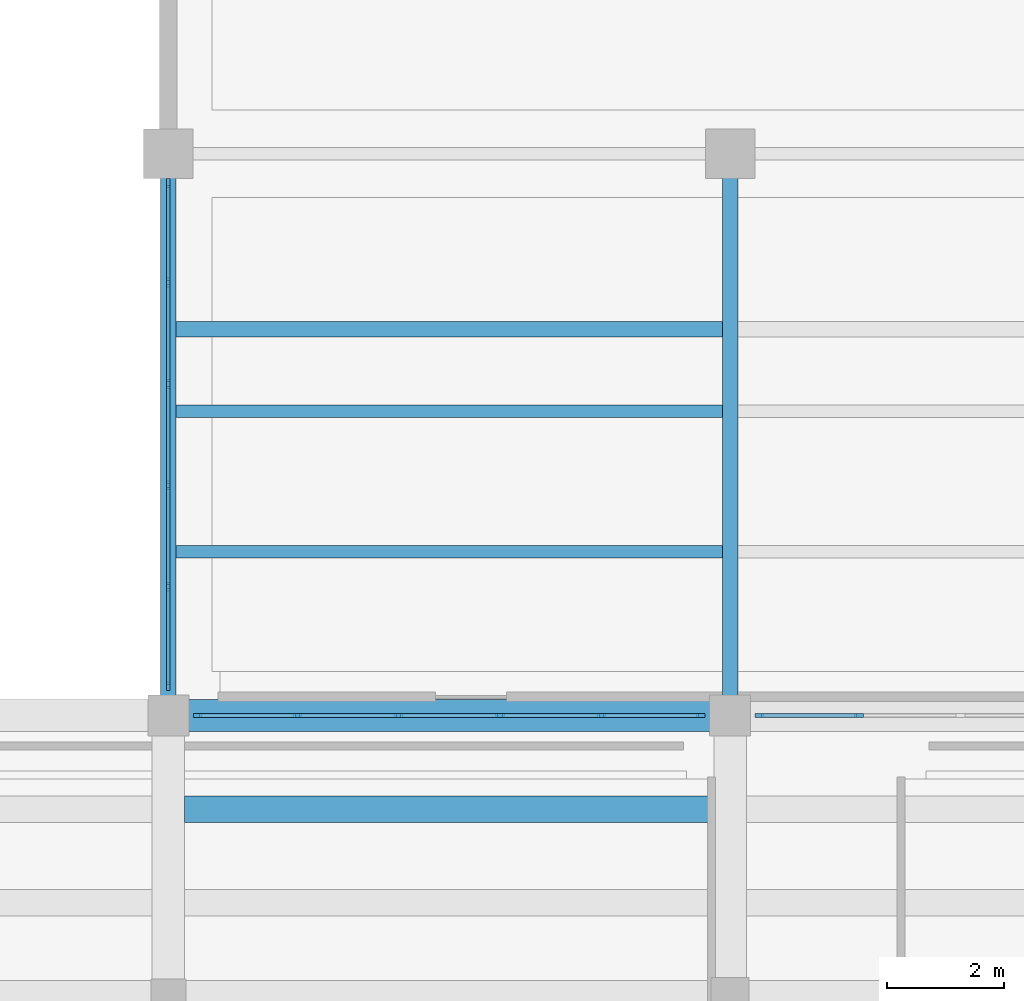
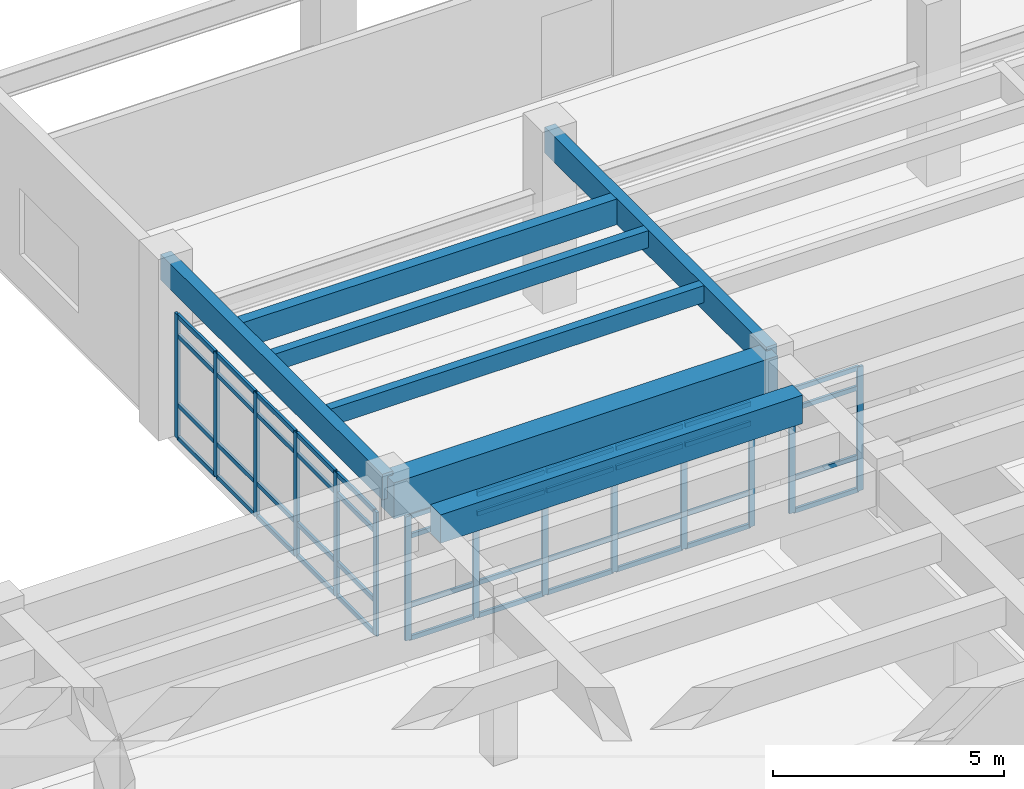
# One storey, part 19 of 86: 58 members, 7 beams, 3 elements without a shape of their own.
"""IFC4 building model written with IfcOpenShell, lengths in metres."""

from ifc_helpers import new_model, si_unit, direction, frame, origin, origin_2d, place, context, subcontext, project, spatial, rectangle, extrude, material, layer, layer_set, material_profile, profile_set, type_object, element, aggregate, save


model = new_model("IFC4")

# Units and contexts
model_context = context("Model", 3, precision=1e-05, world=origin(), true_north=direction((0.0, 1.0)))
body_context = subcontext(model_context, "Body", "Model", "MODEL_VIEW")
ifc_project = project(units=[si_unit("LENGTHUNIT", "METRE"), si_unit("AREAUNIT", "SQUARE_METRE"), si_unit("VOLUMEUNIT", "CUBIC_METRE"), si_unit("PLANEANGLEUNIT", "RADIAN"), si_unit("MASSUNIT", "GRAM", prefix="KILO")], contexts=[model_context])

# Site, building, storey
site_placement = place(None, origin())
site = spatial("IfcSite", under=ifc_project, at=site_placement, CompositionType="ELEMENT")
building_placement = place(site_placement, origin())
building = spatial("IfcBuilding", under=site, at=building_placement, Name="Kolvemor Railside Polytechnic", CompositionType="ELEMENT")
storey_placement = place(building_placement, frame((0.0, 0.0, 5.39990234375)))
storey = spatial("IfcBuildingStorey", under=building, at=storey_placement, Name="L01", CompositionType="ELEMENT", Elevation=5.39990234375)

# Beams
ifc_material_1 = material(Name="Glulam GL28h", Category="wood")
ifc_material_profile_1 = material_profile(ifc_material_1, rectangle(XDim=0.264892578125, YDim=0.679931640625, at=origin_2d()), Name="GL265x680")
ifc_profile_set_1 = profile_set([ifc_material_profile_1], Name="Glulam GL28h")
beam_type_1 = type_object("IfcBeamType", Name="BM-GL-GIRD2", PredefinedType="BEAM", material=ifc_profile_set_1)
beam_1_placement = place(storey_placement, frame((19.3330078125, 88.199951171875, 4.2451171875), z_axis=(1.0, 0.0, 0.0), x_axis=(0.0, 1.0, 0.0)))
element("IfcBeam", 1, at=beam_1_placement, inside=storey, type_object=beam_type_1, Name="Link Roof North Joist 1070", PredefinedType="BEAM", context=body_context, shape_type="SweptSolid", body=[
    extrude(rectangle(XDim=0.264892578125, YDim=0.679931640625, at=origin_2d()), origin(), (0.0, 0.0, 1.0), 9.333984375),
])
for number, where, z_axis, x_axis, name in (
    (2, (19.199951171875, 81.60009765625, 4.2451171875), (0.0, 1.0, 0.0), (-1.0, 0.0, 0.0), "Link Roof Girder GY 1073"),
    (3, (28.800048828125, 81.60009765625, 4.2451171875), (0.0, 1.0, 0.0), (-1.0, 0.0, 0.0), "Link Roof Girder GY 1074"),
):
    element("IfcBeam", number, at=place(storey_placement, frame(where, z_axis=z_axis, x_axis=x_axis)), inside=storey, type_object=beam_type_1, Name=name, PredefinedType="BEAM", context=body_context, shape_type="SweptSolid", body=[
        extrude(rectangle(XDim=0.264892578125, YDim=0.679931640625, at=origin_2d()), origin(), (0.0, 0.0, 1.0), 9.599853515625),
    ])
ifc_material_2 = material(Name="Glulam GL28h", Category="wood")
ifc_material_profile_2 = material_profile(ifc_material_2, rectangle(XDim=0.215087890625, YDim=0.449951171875, at=origin_2d()), Name="GL215x450")
ifc_profile_set_2 = profile_set([ifc_material_profile_2], Name="Glulam GL28h")
beam_type_2 = type_object("IfcBeamType", Name="BM-GL-JST2", PredefinedType="JOIST", material=ifc_profile_set_2)
for number, where, z_axis, x_axis, name in (
    (4, (19.3330078125, 84.39990234375, 4.360107421875), (1.0, 0.0, 0.0), (0.0, 1.0, 0.0), "Link Roof Joist 1077"),
    (5, (19.3330078125, 86.800048828125, 4.360107421875), (1.0, 0.0, 0.0), (0.0, 1.0, 0.0), "Link Roof Joist 1078"),
):
    element("IfcBeam", number, at=place(storey_placement, frame(where, z_axis=z_axis, x_axis=x_axis)), inside=storey, type_object=beam_type_2, Name=name, PredefinedType="JOIST", context=body_context, shape_type="SweptSolid", body=[
        extrude(rectangle(XDim=0.215087890625, YDim=0.449951171875, at=origin_2d()), origin(), (0.0, 0.0, 1.0), 9.333984375),
    ])
ifc_material_3 = material(Name="Concrete C40/50", Category="concrete")
ifc_material_profile_3 = material_profile(ifc_material_3, rectangle(XDim=0.550048828125, YDim=0.949951171875, at=origin_2d()), Name="RC550x950")
ifc_profile_set_3 = profile_set([ifc_material_profile_3], Name="Concrete C40/50")
beam_type_3 = type_object("IfcBeamType", Name="BM-RC-GIRD", PredefinedType="BEAM", material=ifc_profile_set_3)
beam_2_placement = place(storey_placement, frame((19.199951171875, 81.60009765625, 4.005126953125), z_axis=(1.0, 0.0, 0.0), x_axis=(0.0, 1.0, 0.0)))
element("IfcBeam", 6, at=beam_2_placement, inside=storey, type_object=beam_type_3, Name="Primary Girder L02-GX 0605", PredefinedType="BEAM", context=body_context, shape_type="SweptSolid", body=[
    extrude(rectangle(XDim=0.550048828125, YDim=0.949951171875, at=origin_2d()), origin(), (0.0, 0.0, 1.0), 9.60009765625),
])
ifc_material_4 = material(Name="Concrete C40/50", Category="concrete")
ifc_material_profile_4 = material_profile(ifc_material_4, rectangle(XDim=0.449951171875, YDim=0.75, at=origin_2d()), Name="RC450x750")
ifc_profile_set_4 = profile_set([ifc_material_profile_4], Name="Concrete C40/50")
beam_type_4 = type_object("IfcBeamType", Name="BM-RC-SEC", PredefinedType="JOIST", material=ifc_profile_set_4)
beam_3_placement = place(storey_placement, frame((19.47509765625, 80.0, 4.10498046875), z_axis=(1.0, 0.0, 0.0), x_axis=(0.0, 1.0, 0.0)))
element("IfcBeam", 7, at=beam_3_placement, inside=storey, type_object=beam_type_4, Name="Floor Joist L02-J0711", PredefinedType="JOIST", context=body_context, shape_type="SweptSolid", body=[
    extrude(rectangle(XDim=0.449951171875, YDim=0.75, at=origin_2d()), origin(), (0.0, 0.0, 1.0), 9.0498046875),
])

# Curtain wall, members
ifc_material_5 = material(Name="Anodised marine aluminium and laminated low-E glass", Category="aluminium")
ifc_layer = layer(ifc_material_5, 0.179931640625, Name="CW-UNIT-STD")
ifc_layer_set = layer_set([ifc_layer], Name="Anodised marine aluminium and laminated low-E glass")
curtain_wall_type = type_object("IfcCurtainWallType", Name="CW-UNIT-STD", PredefinedType="USERDEFINED", material=ifc_layer_set)
curtain_wall_1_placement = place(storey_placement, origin())
curtain_wall_1 = element("IfcCurtainWall", 8, at=curtain_wall_1_placement, inside=storey, type_object=curtain_wall_type, Name="Curtain Wall L01-036", ObjectType="UNITISED CURTAIN WALL", PredefinedType="USERDEFINED")
ifc_material_6 = material(Name="Anodised marine aluminium 6063-T6", Category="aluminium")
ifc_material_profile_5 = material_profile(ifc_material_6, rectangle(XDim=0.06494140625, YDim=0.14990234375, at=origin_2d()), Name="CW-MUL-65x150")
ifc_profile_set_5 = profile_set([ifc_material_profile_5], Name="Anodised marine aluminium 6063-T6")
member_type_1 = type_object("IfcMemberType", Name="CWM-65x150", PredefinedType="MULLION", material=ifc_profile_set_5)
member_1_placement = place(storey_placement, frame((28.297607421875, 81.60009765625, 0.0), z_axis=(0.0, 0.0, 1.0), x_axis=(0.0, -1.0, 0.0)))
member_1 = element("IfcMember", 9, at=member_1_placement, type_object=member_type_1, Name="CW-STD mullion 1", PredefinedType="MULLION", context=body_context, shape_type="SweptSolid", body=[
    extrude(rectangle(XDim=0.06494140625, YDim=0.14990234375, at=origin_2d()), origin(), (0.0, 0.0, 1.0), 3.280029296875),
])
member_2_placement = place(storey_placement, frame((26.597900390625, 81.60009765625, 0.0), z_axis=(0.0, 0.0, 1.0), x_axis=(0.0, -1.0, 0.0)))
member_2 = element("IfcMember", 10, at=member_2_placement, type_object=member_type_1, Name="CW-STD mullion 2", PredefinedType="MULLION", context=body_context, shape_type="SweptSolid", body=[
    extrude(rectangle(XDim=0.06494140625, YDim=0.14990234375, at=origin_2d()), origin(), (0.0, 0.0, 1.0), 3.280029296875),
])
member_3_placement = place(storey_placement, frame((24.865966796875, 81.60009765625, 0.0), z_axis=(0.0, 0.0, 1.0), x_axis=(0.0, -1.0, 0.0)))
member_3 = element("IfcMember", 11, at=member_3_placement, type_object=member_type_1, Name="CW-STD mullion 3", PredefinedType="MULLION", context=body_context, shape_type="SweptSolid", body=[
    extrude(rectangle(XDim=0.06494140625, YDim=0.14990234375, at=origin_2d()), origin(), (0.0, 0.0, 1.0), 3.280029296875),
])
member_4_placement = place(storey_placement, frame((23.134033203125, 81.60009765625, 0.0), z_axis=(0.0, 0.0, 1.0), x_axis=(0.0, -1.0, 0.0)))
member_4 = element("IfcMember", 12, at=member_4_placement, type_object=member_type_1, Name="CW-STD mullion 4", PredefinedType="MULLION", context=body_context, shape_type="SweptSolid", body=[
    extrude(rectangle(XDim=0.06494140625, YDim=0.14990234375, at=origin_2d()), origin(), (0.0, 0.0, 1.0), 3.280029296875),
])
member_5_placement = place(storey_placement, frame((21.402099609375, 81.60009765625, 0.0), z_axis=(0.0, 0.0, 1.0), x_axis=(0.0, -1.0, 0.0)))
member_5 = element("IfcMember", 13, at=member_5_placement, type_object=member_type_1, Name="CW-STD mullion 5", PredefinedType="MULLION", context=body_context, shape_type="SweptSolid", body=[
    extrude(rectangle(XDim=0.06494140625, YDim=0.14990234375, at=origin_2d()), origin(), (0.0, 0.0, 1.0), 3.280029296875),
])
member_6_placement = place(storey_placement, frame((19.702392578125, 81.60009765625, 0.0), z_axis=(0.0, 0.0, 1.0), x_axis=(0.0, -1.0, 0.0)))
member_6 = element("IfcMember", 14, at=member_6_placement, type_object=member_type_1, Name="CW-STD mullion 6", PredefinedType="MULLION", context=body_context, shape_type="SweptSolid", body=[
    extrude(rectangle(XDim=0.06494140625, YDim=0.14990234375, at=origin_2d()), origin(), (0.0, 0.0, 1.0), 3.280029296875),
])

curtain_wall_2_placement = place(storey_placement, origin())
curtain_wall_2 = element("IfcCurtainWall", 15, at=curtain_wall_2_placement, inside=storey, type_object=curtain_wall_type, Name="Curtain Wall L01-037", ObjectType="UNITISED CURTAIN WALL", PredefinedType="USERDEFINED")
member_7_placement = place(storey_placement, frame((31.001953125, 81.60009765625, 0.0), z_axis=(0.0, 0.0, 1.0), x_axis=(0.0, -1.0, 0.0)))
member_7 = element("IfcMember", 16, at=member_7_placement, type_object=member_type_1, Name="CW-STD mullion 5", PredefinedType="MULLION", context=body_context, shape_type="SweptSolid", body=[
    extrude(rectangle(XDim=0.06494140625, YDim=0.14990234375, at=origin_2d()), origin(), (0.0, 0.0, 1.0), 3.280029296875),
])
member_8_placement = place(storey_placement, frame((29.302490234375, 81.60009765625, 0.0), z_axis=(0.0, 0.0, 1.0), x_axis=(0.0, -1.0, 0.0)))
member_8 = element("IfcMember", 17, at=member_8_placement, type_object=member_type_1, Name="CW-STD mullion 6", PredefinedType="MULLION", context=body_context, shape_type="SweptSolid", body=[
    extrude(rectangle(XDim=0.06494140625, YDim=0.14990234375, at=origin_2d()), origin(), (0.0, 0.0, 1.0), 3.280029296875),
])

curtain_wall_3_placement = place(storey_placement, origin())
curtain_wall_3 = element("IfcCurtainWall", 18, at=curtain_wall_3_placement, inside=storey, type_object=curtain_wall_type, Name="Curtain Wall L01-042", ObjectType="UNITISED CURTAIN WALL", PredefinedType="USERDEFINED")
member_9_placement = place(storey_placement, frame((19.199951171875, 90.697509765625, 0.0), z_axis=(0.0, 0.0, 1.0), x_axis=(1.0, 0.0, 0.0)))
member_9 = element("IfcMember", 19, at=member_9_placement, type_object=member_type_1, Name="CW-STD mullion 1", PredefinedType="MULLION", context=body_context, shape_type="SweptSolid", body=[
    extrude(rectangle(XDim=0.06494140625, YDim=0.14990234375, at=origin_2d()), origin(), (0.0, 0.0, 1.0), 3.280029296875),
])
member_10_placement = place(storey_placement, frame((19.199951171875, 88.998046875, 0.0), z_axis=(0.0, 0.0, 1.0), x_axis=(1.0, 0.0, 0.0)))
member_10 = element("IfcMember", 20, at=member_10_placement, type_object=member_type_1, Name="CW-STD mullion 2", PredefinedType="MULLION", context=body_context, shape_type="SweptSolid", body=[
    extrude(rectangle(XDim=0.06494140625, YDim=0.14990234375, at=origin_2d()), origin(), (0.0, 0.0, 1.0), 3.280029296875),
])
member_11_placement = place(storey_placement, frame((19.199951171875, 87.26611328125, 0.0), z_axis=(0.0, 0.0, 1.0), x_axis=(1.0, 0.0, 0.0)))
member_11 = element("IfcMember", 21, at=member_11_placement, type_object=member_type_1, Name="CW-STD mullion 3", PredefinedType="MULLION", context=body_context, shape_type="SweptSolid", body=[
    extrude(rectangle(XDim=0.06494140625, YDim=0.14990234375, at=origin_2d()), origin(), (0.0, 0.0, 1.0), 3.280029296875),
])
member_12_placement = place(storey_placement, frame((19.199951171875, 85.533935546875, 0.0), z_axis=(0.0, 0.0, 1.0), x_axis=(1.0, 0.0, 0.0)))
member_12 = element("IfcMember", 22, at=member_12_placement, type_object=member_type_1, Name="CW-STD mullion 4", PredefinedType="MULLION", context=body_context, shape_type="SweptSolid", body=[
    extrude(rectangle(XDim=0.06494140625, YDim=0.14990234375, at=origin_2d()), origin(), (0.0, 0.0, 1.0), 3.280029296875),
])
member_13_placement = place(storey_placement, frame((19.199951171875, 83.802001953125, 0.0), z_axis=(0.0, 0.0, 1.0), x_axis=(1.0, 0.0, 0.0)))
member_13 = element("IfcMember", 23, at=member_13_placement, type_object=member_type_1, Name="CW-STD mullion 5", PredefinedType="MULLION", context=body_context, shape_type="SweptSolid", body=[
    extrude(rectangle(XDim=0.06494140625, YDim=0.14990234375, at=origin_2d()), origin(), (0.0, 0.0, 1.0), 3.280029296875),
])
member_14_placement = place(storey_placement, frame((19.199951171875, 82.1025390625, 0.0), z_axis=(0.0, 0.0, 1.0), x_axis=(1.0, 0.0, 0.0)))
member_14 = element("IfcMember", 24, at=member_14_placement, type_object=member_type_1, Name="CW-STD mullion 6", PredefinedType="MULLION", context=body_context, shape_type="SweptSolid", body=[
    extrude(rectangle(XDim=0.06494140625, YDim=0.14990234375, at=origin_2d()), origin(), (0.0, 0.0, 1.0), 3.280029296875),
])

# Member
ifc_material_7 = material(Name="Anodised marine aluminium 6063-T6", Category="aluminium")
ifc_material_profile_6 = material_profile(ifc_material_7, rectangle(XDim=0.06494140625, YDim=0.1201171875, at=origin_2d()), Name="CW-TRN-65x120")
ifc_profile_set_6 = profile_set([ifc_material_profile_6], Name="Anodised marine aluminium 6063-T6")
member_type_2 = type_object("IfcMemberType", Name="CWT-65x120", PredefinedType="USERDEFINED", material=ifc_profile_set_6)
member_15_placement = place(storey_placement, frame((28.264892578125, 81.60009765625, 0.03271484375), z_axis=(-1.0, 0.0, 0.0), x_axis=(0.0, -1.0, 0.0)))
member_15 = element("IfcMember", 25, at=member_15_placement, type_object=member_type_2, Name="CW-STD transom 1.1", ObjectType="TRANSOM", PredefinedType="USERDEFINED", context=body_context, shape_type="SweptSolid", body=[
    extrude(rectangle(XDim=0.06494140625, YDim=0.1201171875, at=origin_2d()), origin(), (0.0, 0.0, 1.0), 1.63427734375),
])

member_16_placement = place(storey_placement, frame((28.264892578125, 81.60009765625, 0.900146484375), z_axis=(-1.0, 0.0, 0.0), x_axis=(0.0, -1.0, 0.0)))
member_16 = element("IfcMember", 26, at=member_16_placement, type_object=member_type_2, Name="CW-STD transom 1.2", ObjectType="TRANSOM", PredefinedType="USERDEFINED", context=body_context, shape_type="SweptSolid", body=[
    extrude(rectangle(XDim=0.06494140625, YDim=0.1201171875, at=origin_2d()), origin(), (0.0, 0.0, 1.0), 1.63427734375),
])

member_17_placement = place(storey_placement, frame((28.264892578125, 81.60009765625, 2.72998046875), z_axis=(-1.0, 0.0, 0.0), x_axis=(0.0, -1.0, 0.0)))
member_17 = element("IfcMember", 27, at=member_17_placement, type_object=member_type_2, Name="CW-STD transom 1.3", ObjectType="TRANSOM", PredefinedType="USERDEFINED", context=body_context, shape_type="SweptSolid", body=[
    extrude(rectangle(XDim=0.06494140625, YDim=0.1201171875, at=origin_2d()), origin(), (0.0, 0.0, 1.0), 1.63427734375),
])

member_18_placement = place(storey_placement, frame((28.264892578125, 81.60009765625, 3.24755859375), z_axis=(-1.0, 0.0, 0.0), x_axis=(0.0, -1.0, 0.0)))
member_18 = element("IfcMember", 28, at=member_18_placement, type_object=member_type_2, Name="CW-STD transom 1.4", ObjectType="TRANSOM", PredefinedType="USERDEFINED", context=body_context, shape_type="SweptSolid", body=[
    extrude(rectangle(XDim=0.06494140625, YDim=0.1201171875, at=origin_2d()), origin(), (0.0, 0.0, 1.0), 1.63427734375),
])

member_19_placement = place(storey_placement, frame((26.5654296875, 81.60009765625, 0.03271484375), z_axis=(-1.0, 0.0, 0.0), x_axis=(0.0, -1.0, 0.0)))
member_19 = element("IfcMember", 29, at=member_19_placement, type_object=member_type_2, Name="CW-STD transom 2.1", ObjectType="TRANSOM", PredefinedType="USERDEFINED", context=body_context, shape_type="SweptSolid", body=[
    extrude(rectangle(XDim=0.06494140625, YDim=0.1201171875, at=origin_2d()), origin(), (0.0, 0.0, 1.0), 1.6669921875),
])

member_20_placement = place(storey_placement, frame((26.5654296875, 81.60009765625, 0.900146484375), z_axis=(-1.0, 0.0, 0.0), x_axis=(0.0, -1.0, 0.0)))
member_20 = element("IfcMember", 30, at=member_20_placement, type_object=member_type_2, Name="CW-STD transom 2.2", ObjectType="TRANSOM", PredefinedType="USERDEFINED", context=body_context, shape_type="SweptSolid", body=[
    extrude(rectangle(XDim=0.06494140625, YDim=0.1201171875, at=origin_2d()), origin(), (0.0, 0.0, 1.0), 1.6669921875),
])

member_21_placement = place(storey_placement, frame((26.5654296875, 81.60009765625, 2.72998046875), z_axis=(-1.0, 0.0, 0.0), x_axis=(0.0, -1.0, 0.0)))
member_21 = element("IfcMember", 31, at=member_21_placement, type_object=member_type_2, Name="CW-STD transom 2.3", ObjectType="TRANSOM", PredefinedType="USERDEFINED", context=body_context, shape_type="SweptSolid", body=[
    extrude(rectangle(XDim=0.06494140625, YDim=0.1201171875, at=origin_2d()), origin(), (0.0, 0.0, 1.0), 1.6669921875),
])

member_22_placement = place(storey_placement, frame((26.5654296875, 81.60009765625, 3.24755859375), z_axis=(-1.0, 0.0, 0.0), x_axis=(0.0, -1.0, 0.0)))
member_22 = element("IfcMember", 32, at=member_22_placement, type_object=member_type_2, Name="CW-STD transom 2.4", ObjectType="TRANSOM", PredefinedType="USERDEFINED", context=body_context, shape_type="SweptSolid", body=[
    extrude(rectangle(XDim=0.06494140625, YDim=0.1201171875, at=origin_2d()), origin(), (0.0, 0.0, 1.0), 1.6669921875),
])

member_23_placement = place(storey_placement, frame((24.83349609375, 81.60009765625, 0.03271484375), z_axis=(-1.0, 0.0, 0.0), x_axis=(0.0, -1.0, 0.0)))
member_23 = element("IfcMember", 33, at=member_23_placement, type_object=member_type_2, Name="CW-STD transom 3.1", ObjectType="TRANSOM", PredefinedType="USERDEFINED", context=body_context, shape_type="SweptSolid", body=[
    extrude(rectangle(XDim=0.06494140625, YDim=0.1201171875, at=origin_2d()), origin(), (0.0, 0.0, 1.0), 1.6669921875),
])

member_24_placement = place(storey_placement, frame((24.83349609375, 81.60009765625, 0.900146484375), z_axis=(-1.0, 0.0, 0.0), x_axis=(0.0, -1.0, 0.0)))
member_24 = element("IfcMember", 34, at=member_24_placement, type_object=member_type_2, Name="CW-STD transom 3.2", ObjectType="TRANSOM", PredefinedType="USERDEFINED", context=body_context, shape_type="SweptSolid", body=[
    extrude(rectangle(XDim=0.06494140625, YDim=0.1201171875, at=origin_2d()), origin(), (0.0, 0.0, 1.0), 1.6669921875),
])

member_25_placement = place(storey_placement, frame((24.83349609375, 81.60009765625, 2.72998046875), z_axis=(-1.0, 0.0, 0.0), x_axis=(0.0, -1.0, 0.0)))
member_25 = element("IfcMember", 35, at=member_25_placement, type_object=member_type_2, Name="CW-STD transom 3.3", ObjectType="TRANSOM", PredefinedType="USERDEFINED", context=body_context, shape_type="SweptSolid", body=[
    extrude(rectangle(XDim=0.06494140625, YDim=0.1201171875, at=origin_2d()), origin(), (0.0, 0.0, 1.0), 1.6669921875),
])

member_26_placement = place(storey_placement, frame((24.83349609375, 81.60009765625, 3.24755859375), z_axis=(-1.0, 0.0, 0.0), x_axis=(0.0, -1.0, 0.0)))
member_26 = element("IfcMember", 36, at=member_26_placement, type_object=member_type_2, Name="CW-STD transom 3.4", ObjectType="TRANSOM", PredefinedType="USERDEFINED", context=body_context, shape_type="SweptSolid", body=[
    extrude(rectangle(XDim=0.06494140625, YDim=0.1201171875, at=origin_2d()), origin(), (0.0, 0.0, 1.0), 1.6669921875),
])

member_27_placement = place(storey_placement, frame((23.1015625, 81.60009765625, 0.03271484375), z_axis=(-1.0, 0.0, 0.0), x_axis=(0.0, -1.0, 0.0)))
member_27 = element("IfcMember", 37, at=member_27_placement, type_object=member_type_2, Name="CW-STD transom 4.1", ObjectType="TRANSOM", PredefinedType="USERDEFINED", context=body_context, shape_type="SweptSolid", body=[
    extrude(rectangle(XDim=0.06494140625, YDim=0.1201171875, at=origin_2d()), origin(), (0.0, 0.0, 1.0), 1.6669921875),
])

member_28_placement = place(storey_placement, frame((23.1015625, 81.60009765625, 0.900146484375), z_axis=(-1.0, 0.0, 0.0), x_axis=(0.0, -1.0, 0.0)))
member_28 = element("IfcMember", 38, at=member_28_placement, type_object=member_type_2, Name="CW-STD transom 4.2", ObjectType="TRANSOM", PredefinedType="USERDEFINED", context=body_context, shape_type="SweptSolid", body=[
    extrude(rectangle(XDim=0.06494140625, YDim=0.1201171875, at=origin_2d()), origin(), (0.0, 0.0, 1.0), 1.6669921875),
])

member_29_placement = place(storey_placement, frame((23.1015625, 81.60009765625, 2.72998046875), z_axis=(-1.0, 0.0, 0.0), x_axis=(0.0, -1.0, 0.0)))
member_29 = element("IfcMember", 39, at=member_29_placement, type_object=member_type_2, Name="CW-STD transom 4.3", ObjectType="TRANSOM", PredefinedType="USERDEFINED", context=body_context, shape_type="SweptSolid", body=[
    extrude(rectangle(XDim=0.06494140625, YDim=0.1201171875, at=origin_2d()), origin(), (0.0, 0.0, 1.0), 1.6669921875),
])

member_30_placement = place(storey_placement, frame((23.1015625, 81.60009765625, 3.24755859375), z_axis=(-1.0, 0.0, 0.0), x_axis=(0.0, -1.0, 0.0)))
member_30 = element("IfcMember", 40, at=member_30_placement, type_object=member_type_2, Name="CW-STD transom 4.4", ObjectType="TRANSOM", PredefinedType="USERDEFINED", context=body_context, shape_type="SweptSolid", body=[
    extrude(rectangle(XDim=0.06494140625, YDim=0.1201171875, at=origin_2d()), origin(), (0.0, 0.0, 1.0), 1.6669921875),
])

member_31_placement = place(storey_placement, frame((21.369384765625, 81.60009765625, 0.03271484375), z_axis=(-1.0, 0.0, 0.0), x_axis=(0.0, -1.0, 0.0)))
member_31 = element("IfcMember", 41, at=member_31_placement, type_object=member_type_2, Name="CW-STD transom 5.1", ObjectType="TRANSOM", PredefinedType="USERDEFINED", context=body_context, shape_type="SweptSolid", body=[
    extrude(rectangle(XDim=0.06494140625, YDim=0.1201171875, at=origin_2d()), origin(), (0.0, 0.0, 1.0), 1.63427734375),
])

member_32_placement = place(storey_placement, frame((21.369384765625, 81.60009765625, 0.900146484375), z_axis=(-1.0, 0.0, 0.0), x_axis=(0.0, -1.0, 0.0)))
member_32 = element("IfcMember", 42, at=member_32_placement, type_object=member_type_2, Name="CW-STD transom 5.2", ObjectType="TRANSOM", PredefinedType="USERDEFINED", context=body_context, shape_type="SweptSolid", body=[
    extrude(rectangle(XDim=0.06494140625, YDim=0.1201171875, at=origin_2d()), origin(), (0.0, 0.0, 1.0), 1.63427734375),
])

member_33_placement = place(storey_placement, frame((21.369384765625, 81.60009765625, 2.72998046875), z_axis=(-1.0, 0.0, 0.0), x_axis=(0.0, -1.0, 0.0)))
member_33 = element("IfcMember", 43, at=member_33_placement, type_object=member_type_2, Name="CW-STD transom 5.3", ObjectType="TRANSOM", PredefinedType="USERDEFINED", context=body_context, shape_type="SweptSolid", body=[
    extrude(rectangle(XDim=0.06494140625, YDim=0.1201171875, at=origin_2d()), origin(), (0.0, 0.0, 1.0), 1.63427734375),
])

member_34_placement = place(storey_placement, frame((21.369384765625, 81.60009765625, 3.24755859375), z_axis=(-1.0, 0.0, 0.0), x_axis=(0.0, -1.0, 0.0)))
member_34 = element("IfcMember", 44, at=member_34_placement, type_object=member_type_2, Name="CW-STD transom 5.4", ObjectType="TRANSOM", PredefinedType="USERDEFINED", context=body_context, shape_type="SweptSolid", body=[
    extrude(rectangle(XDim=0.06494140625, YDim=0.1201171875, at=origin_2d()), origin(), (0.0, 0.0, 1.0), 1.63427734375),
])

aggregate(curtain_wall_1, [member_1, member_2, member_3, member_4, member_5, member_6, member_15, member_16, member_17, member_18, member_19, member_20, member_21, member_22, member_23, member_24, member_25, member_26, member_27, member_28, member_29, member_30, member_31, member_32, member_33, member_34])

member_35_placement = place(storey_placement, frame((30.969482421875, 81.60009765625, 0.03271484375), z_axis=(-1.0, 0.0, 0.0), x_axis=(0.0, -1.0, 0.0)))
member_35 = element("IfcMember", 45, at=member_35_placement, type_object=member_type_2, Name="CW-STD transom 5.1", ObjectType="TRANSOM", PredefinedType="USERDEFINED", context=body_context, shape_type="SweptSolid", body=[
    extrude(rectangle(XDim=0.06494140625, YDim=0.1201171875, at=origin_2d()), origin(), (0.0, 0.0, 1.0), 1.634521484375),
])

member_36_placement = place(storey_placement, frame((30.969482421875, 81.60009765625, 0.900146484375), z_axis=(-1.0, 0.0, 0.0), x_axis=(0.0, -1.0, 0.0)))
member_36 = element("IfcMember", 46, at=member_36_placement, type_object=member_type_2, Name="CW-STD transom 5.2", ObjectType="TRANSOM", PredefinedType="USERDEFINED", context=body_context, shape_type="SweptSolid", body=[
    extrude(rectangle(XDim=0.06494140625, YDim=0.1201171875, at=origin_2d()), origin(), (0.0, 0.0, 1.0), 1.634521484375),
])

member_37_placement = place(storey_placement, frame((30.969482421875, 81.60009765625, 2.72998046875), z_axis=(-1.0, 0.0, 0.0), x_axis=(0.0, -1.0, 0.0)))
member_37 = element("IfcMember", 47, at=member_37_placement, type_object=member_type_2, Name="CW-STD transom 5.3", ObjectType="TRANSOM", PredefinedType="USERDEFINED", context=body_context, shape_type="SweptSolid", body=[
    extrude(rectangle(XDim=0.06494140625, YDim=0.1201171875, at=origin_2d()), origin(), (0.0, 0.0, 1.0), 1.634521484375),
])

member_38_placement = place(storey_placement, frame((30.969482421875, 81.60009765625, 3.24755859375), z_axis=(-1.0, 0.0, 0.0), x_axis=(0.0, -1.0, 0.0)))
member_38 = element("IfcMember", 48, at=member_38_placement, type_object=member_type_2, Name="CW-STD transom 5.4", ObjectType="TRANSOM", PredefinedType="USERDEFINED", context=body_context, shape_type="SweptSolid", body=[
    extrude(rectangle(XDim=0.06494140625, YDim=0.1201171875, at=origin_2d()), origin(), (0.0, 0.0, 1.0), 1.634521484375),
])

aggregate(curtain_wall_2, [member_7, member_8, member_35, member_36, member_37, member_38])

member_39_placement = place(storey_placement, frame((19.199951171875, 90.6650390625, 0.03271484375), z_axis=(0.0, -1.0, 0.0), x_axis=(1.0, 0.0, 0.0)))
member_39 = element("IfcMember", 49, at=member_39_placement, type_object=member_type_2, Name="CW-STD transom 1.1", ObjectType="TRANSOM", PredefinedType="USERDEFINED", context=body_context, shape_type="SweptSolid", body=[
    extrude(rectangle(XDim=0.06494140625, YDim=0.1201171875, at=origin_2d()), origin(), (0.0, 0.0, 1.0), 1.634521484375),
])

member_40_placement = place(storey_placement, frame((19.199951171875, 90.6650390625, 0.900146484375), z_axis=(0.0, -1.0, 0.0), x_axis=(1.0, 0.0, 0.0)))
member_40 = element("IfcMember", 50, at=member_40_placement, type_object=member_type_2, Name="CW-STD transom 1.2", ObjectType="TRANSOM", PredefinedType="USERDEFINED", context=body_context, shape_type="SweptSolid", body=[
    extrude(rectangle(XDim=0.06494140625, YDim=0.1201171875, at=origin_2d()), origin(), (0.0, 0.0, 1.0), 1.634521484375),
])

member_41_placement = place(storey_placement, frame((19.199951171875, 90.6650390625, 2.72998046875), z_axis=(0.0, -1.0, 0.0), x_axis=(1.0, 0.0, 0.0)))
member_41 = element("IfcMember", 51, at=member_41_placement, type_object=member_type_2, Name="CW-STD transom 1.3", ObjectType="TRANSOM", PredefinedType="USERDEFINED", context=body_context, shape_type="SweptSolid", body=[
    extrude(rectangle(XDim=0.06494140625, YDim=0.1201171875, at=origin_2d()), origin(), (0.0, 0.0, 1.0), 1.634521484375),
])

member_42_placement = place(storey_placement, frame((19.199951171875, 90.6650390625, 3.24755859375), z_axis=(0.0, -1.0, 0.0), x_axis=(1.0, 0.0, 0.0)))
member_42 = element("IfcMember", 52, at=member_42_placement, type_object=member_type_2, Name="CW-STD transom 1.4", ObjectType="TRANSOM", PredefinedType="USERDEFINED", context=body_context, shape_type="SweptSolid", body=[
    extrude(rectangle(XDim=0.06494140625, YDim=0.1201171875, at=origin_2d()), origin(), (0.0, 0.0, 1.0), 1.634521484375),
])

member_43_placement = place(storey_placement, frame((19.199951171875, 88.965576171875, 0.03271484375), z_axis=(0.0, -1.0, 0.0), x_axis=(1.0, 0.0, 0.0)))
member_43 = element("IfcMember", 53, at=member_43_placement, type_object=member_type_2, Name="CW-STD transom 2.1", ObjectType="TRANSOM", PredefinedType="USERDEFINED", context=body_context, shape_type="SweptSolid", body=[
    extrude(rectangle(XDim=0.06494140625, YDim=0.1201171875, at=origin_2d()), origin(), (0.0, 0.0, 1.0), 1.6669921875),
])

member_44_placement = place(storey_placement, frame((19.199951171875, 88.965576171875, 0.900146484375), z_axis=(0.0, -1.0, 0.0), x_axis=(1.0, 0.0, 0.0)))
member_44 = element("IfcMember", 54, at=member_44_placement, type_object=member_type_2, Name="CW-STD transom 2.2", ObjectType="TRANSOM", PredefinedType="USERDEFINED", context=body_context, shape_type="SweptSolid", body=[
    extrude(rectangle(XDim=0.06494140625, YDim=0.1201171875, at=origin_2d()), origin(), (0.0, 0.0, 1.0), 1.6669921875),
])

member_45_placement = place(storey_placement, frame((19.199951171875, 88.965576171875, 2.72998046875), z_axis=(0.0, -1.0, 0.0), x_axis=(1.0, 0.0, 0.0)))
member_45 = element("IfcMember", 55, at=member_45_placement, type_object=member_type_2, Name="CW-STD transom 2.3", ObjectType="TRANSOM", PredefinedType="USERDEFINED", context=body_context, shape_type="SweptSolid", body=[
    extrude(rectangle(XDim=0.06494140625, YDim=0.1201171875, at=origin_2d()), origin(), (0.0, 0.0, 1.0), 1.6669921875),
])

member_46_placement = place(storey_placement, frame((19.199951171875, 88.965576171875, 3.24755859375), z_axis=(0.0, -1.0, 0.0), x_axis=(1.0, 0.0, 0.0)))
member_46 = element("IfcMember", 56, at=member_46_placement, type_object=member_type_2, Name="CW-STD transom 2.4", ObjectType="TRANSOM", PredefinedType="USERDEFINED", context=body_context, shape_type="SweptSolid", body=[
    extrude(rectangle(XDim=0.06494140625, YDim=0.1201171875, at=origin_2d()), origin(), (0.0, 0.0, 1.0), 1.6669921875),
])

member_47_placement = place(storey_placement, frame((19.199951171875, 87.2333984375, 0.03271484375), z_axis=(0.0, -1.0, 0.0), x_axis=(1.0, 0.0, 0.0)))
member_47 = element("IfcMember", 57, at=member_47_placement, type_object=member_type_2, Name="CW-STD transom 3.1", ObjectType="TRANSOM", PredefinedType="USERDEFINED", context=body_context, shape_type="SweptSolid", body=[
    extrude(rectangle(XDim=0.06494140625, YDim=0.1201171875, at=origin_2d()), origin(), (0.0, 0.0, 1.0), 1.6669921875),
])

member_48_placement = place(storey_placement, frame((19.199951171875, 87.2333984375, 0.900146484375), z_axis=(0.0, -1.0, 0.0), x_axis=(1.0, 0.0, 0.0)))
member_48 = element("IfcMember", 58, at=member_48_placement, type_object=member_type_2, Name="CW-STD transom 3.2", ObjectType="TRANSOM", PredefinedType="USERDEFINED", context=body_context, shape_type="SweptSolid", body=[
    extrude(rectangle(XDim=0.06494140625, YDim=0.1201171875, at=origin_2d()), origin(), (0.0, 0.0, 1.0), 1.6669921875),
])

member_49_placement = place(storey_placement, frame((19.199951171875, 87.2333984375, 2.72998046875), z_axis=(0.0, -1.0, 0.0), x_axis=(1.0, 0.0, 0.0)))
member_49 = element("IfcMember", 59, at=member_49_placement, type_object=member_type_2, Name="CW-STD transom 3.3", ObjectType="TRANSOM", PredefinedType="USERDEFINED", context=body_context, shape_type="SweptSolid", body=[
    extrude(rectangle(XDim=0.06494140625, YDim=0.1201171875, at=origin_2d()), origin(), (0.0, 0.0, 1.0), 1.6669921875),
])

member_50_placement = place(storey_placement, frame((19.199951171875, 87.2333984375, 3.24755859375), z_axis=(0.0, -1.0, 0.0), x_axis=(1.0, 0.0, 0.0)))
member_50 = element("IfcMember", 60, at=member_50_placement, type_object=member_type_2, Name="CW-STD transom 3.4", ObjectType="TRANSOM", PredefinedType="USERDEFINED", context=body_context, shape_type="SweptSolid", body=[
    extrude(rectangle(XDim=0.06494140625, YDim=0.1201171875, at=origin_2d()), origin(), (0.0, 0.0, 1.0), 1.6669921875),
])

member_51_placement = place(storey_placement, frame((19.199951171875, 85.50146484375, 0.03271484375), z_axis=(0.0, -1.0, 0.0), x_axis=(1.0, 0.0, 0.0)))
member_51 = element("IfcMember", 61, at=member_51_placement, type_object=member_type_2, Name="CW-STD transom 4.1", ObjectType="TRANSOM", PredefinedType="USERDEFINED", context=body_context, shape_type="SweptSolid", body=[
    extrude(rectangle(XDim=0.06494140625, YDim=0.1201171875, at=origin_2d()), origin(), (0.0, 0.0, 1.0), 1.6669921875),
])

member_52_placement = place(storey_placement, frame((19.199951171875, 85.50146484375, 0.900146484375), z_axis=(0.0, -1.0, 0.0), x_axis=(1.0, 0.0, 0.0)))
member_52 = element("IfcMember", 62, at=member_52_placement, type_object=member_type_2, Name="CW-STD transom 4.2", ObjectType="TRANSOM", PredefinedType="USERDEFINED", context=body_context, shape_type="SweptSolid", body=[
    extrude(rectangle(XDim=0.06494140625, YDim=0.1201171875, at=origin_2d()), origin(), (0.0, 0.0, 1.0), 1.6669921875),
])

member_53_placement = place(storey_placement, frame((19.199951171875, 85.50146484375, 2.72998046875), z_axis=(0.0, -1.0, 0.0), x_axis=(1.0, 0.0, 0.0)))
member_53 = element("IfcMember", 63, at=member_53_placement, type_object=member_type_2, Name="CW-STD transom 4.3", ObjectType="TRANSOM", PredefinedType="USERDEFINED", context=body_context, shape_type="SweptSolid", body=[
    extrude(rectangle(XDim=0.06494140625, YDim=0.1201171875, at=origin_2d()), origin(), (0.0, 0.0, 1.0), 1.6669921875),
])

member_54_placement = place(storey_placement, frame((19.199951171875, 85.50146484375, 3.24755859375), z_axis=(0.0, -1.0, 0.0), x_axis=(1.0, 0.0, 0.0)))
member_54 = element("IfcMember", 64, at=member_54_placement, type_object=member_type_2, Name="CW-STD transom 4.4", ObjectType="TRANSOM", PredefinedType="USERDEFINED", context=body_context, shape_type="SweptSolid", body=[
    extrude(rectangle(XDim=0.06494140625, YDim=0.1201171875, at=origin_2d()), origin(), (0.0, 0.0, 1.0), 1.6669921875),
])

member_55_placement = place(storey_placement, frame((19.199951171875, 83.76953125, 0.03271484375), z_axis=(0.0, -1.0, 0.0), x_axis=(1.0, 0.0, 0.0)))
member_55 = element("IfcMember", 65, at=member_55_placement, type_object=member_type_2, Name="CW-STD transom 5.1", ObjectType="TRANSOM", PredefinedType="USERDEFINED", context=body_context, shape_type="SweptSolid", body=[
    extrude(rectangle(XDim=0.06494140625, YDim=0.1201171875, at=origin_2d()), origin(), (0.0, 0.0, 1.0), 1.634521484375),
])

member_56_placement = place(storey_placement, frame((19.199951171875, 83.76953125, 0.900146484375), z_axis=(0.0, -1.0, 0.0), x_axis=(1.0, 0.0, 0.0)))
member_56 = element("IfcMember", 66, at=member_56_placement, type_object=member_type_2, Name="CW-STD transom 5.2", ObjectType="TRANSOM", PredefinedType="USERDEFINED", context=body_context, shape_type="SweptSolid", body=[
    extrude(rectangle(XDim=0.06494140625, YDim=0.1201171875, at=origin_2d()), origin(), (0.0, 0.0, 1.0), 1.634521484375),
])

member_57_placement = place(storey_placement, frame((19.199951171875, 83.76953125, 2.72998046875), z_axis=(0.0, -1.0, 0.0), x_axis=(1.0, 0.0, 0.0)))
member_57 = element("IfcMember", 67, at=member_57_placement, type_object=member_type_2, Name="CW-STD transom 5.3", ObjectType="TRANSOM", PredefinedType="USERDEFINED", context=body_context, shape_type="SweptSolid", body=[
    extrude(rectangle(XDim=0.06494140625, YDim=0.1201171875, at=origin_2d()), origin(), (0.0, 0.0, 1.0), 1.634521484375),
])

member_58_placement = place(storey_placement, frame((19.199951171875, 83.76953125, 3.24755859375), z_axis=(0.0, -1.0, 0.0), x_axis=(1.0, 0.0, 0.0)))
member_58 = element("IfcMember", 68, at=member_58_placement, type_object=member_type_2, Name="CW-STD transom 5.4", ObjectType="TRANSOM", PredefinedType="USERDEFINED", context=body_context, shape_type="SweptSolid", body=[
    extrude(rectangle(XDim=0.06494140625, YDim=0.1201171875, at=origin_2d()), origin(), (0.0, 0.0, 1.0), 1.634521484375),
])

aggregate(curtain_wall_3, [member_9, member_10, member_11, member_12, member_13, member_14, member_39, member_40, member_41, member_42, member_43, member_44, member_45, member_46, member_47, member_48, member_49, member_50, member_51, member_52, member_53, member_54, member_55, member_56, member_57, member_58])

save(model, "model.ifc")
